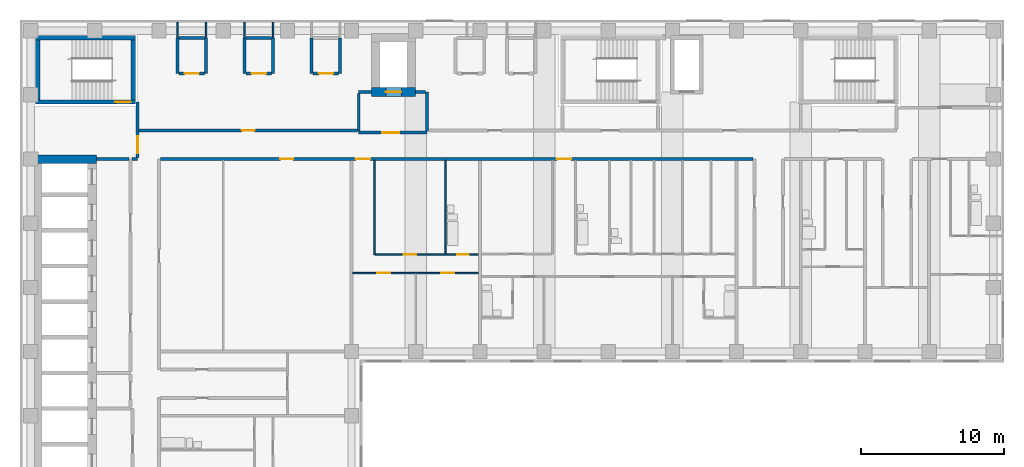
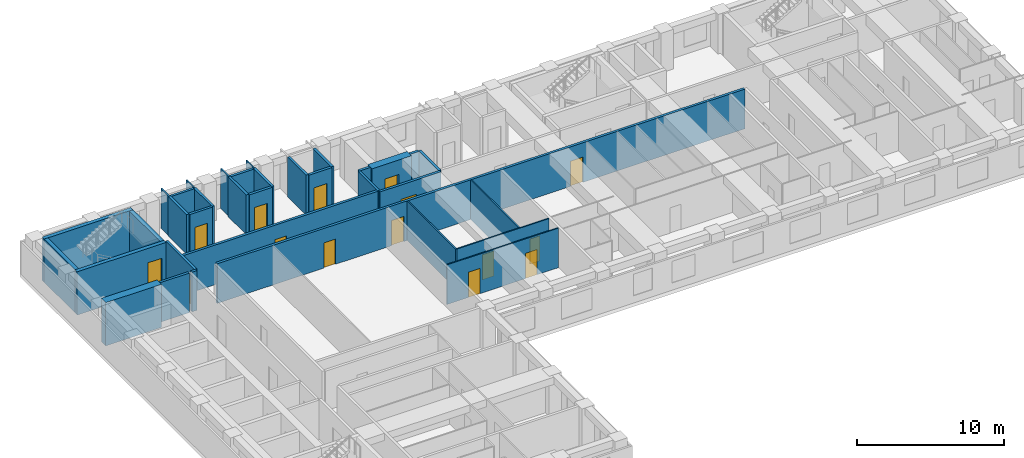
# One storey, part 5 of 12: 35 walls, 15 doors, 15 openings.
"""IFC4 building model written with IfcOpenShell, lengths in metres."""

import ifcopenshell
import ifcopenshell.guid

model = None  # the IFC model being written
_history = None  # IfcOwnerHistory: only IFC2X3 demands one
_inside = {}  # id of a spatial element -> (the spatial element, [elements in it])
_under = {}  # id of a project, library or spatial element -> (it, [spatial elements below it])
_declared = {}  # id of a project -> (the project, [libraries it declares])
_typed = {}  # id of a type object -> (the type object, [elements of that type])
_made_of = {}  # id of a material, layer set ... -> (it, [elements and type objects made of it])


def new_model(schema):
    """Start an empty IFC model of exactly this schema.

    Asked for "IFC4X3", IfcOpenShell would pick the latest addendum, in which some entities
    have other attributes; the version numbers below select the first issue.
    IFC2X3 requires an IfcOwnerHistory on every rooted entity: one is made here for all.
    """
    global model, _history
    if schema == "IFC4X3":
        model = ifcopenshell.file(schema_version=(4, 3, 0, 0))
    else:
        model = ifcopenshell.file(schema=schema)
    _inside.clear()
    _under.clear()
    _declared.clear()
    _typed.clear()
    _made_of.clear()
    _history = None
    if model.schema == "IFC2X3":
        org = make("IfcOrganization", Name="unknown")
        user = make(
            "IfcPersonAndOrganization",
            ThePerson=make("IfcPerson", FamilyName="unknown"),
            TheOrganization=org,
        )
        app = make(
            "IfcApplication",
            ApplicationDeveloper=org,
            Version="unknown",
            ApplicationFullName="unknown",
            ApplicationIdentifier="unknown",
        )
        _history = make(
            "IfcOwnerHistory",
            OwningUser=user,
            OwningApplication=app,
            ChangeAction="ADDED",
            CreationDate=0,
        )
    return model


def make(cls, **values):
    """One entity of the class cls with the attributes given. An attribute that is None is left unset."""
    return model.create_entity(
        cls, **{name: value for name, value in values.items() if value is not None}
    )


def rooted(cls, **values):
    """An entity with a GlobalId (a new one), such as an element, a storey or a relation."""
    return make(cls, GlobalId=ifcopenshell.guid.new(), OwnerHistory=_history, **values)


def si_unit(unit_type, name, prefix=None):
    """IfcSIUnit, for example si_unit("LENGTHUNIT", "METRE", prefix="MILLI")."""
    return make("IfcSIUnit", UnitType=unit_type, Prefix=prefix, Name=name)


def assignment(units):
    """IfcUnitAssignment: the units of a project."""
    return None if units is None else make("IfcUnitAssignment", Units=units)


def point(xyz):
    """IfcCartesianPoint."""
    return None if xyz is None else make("IfcCartesianPoint", Coordinates=xyz)


def direction(xyz):
    """IfcDirection."""
    return None if xyz is None else make("IfcDirection", DirectionRatios=xyz)


def frame(location, z_axis=None, x_axis=None):
    """IfcAxis2Placement3D, a coordinate frame: its origin and axes. An axis left out is left unset."""
    return make(
        "IfcAxis2Placement3D",
        Location=point(location),
        Axis=direction(z_axis),
        RefDirection=direction(x_axis),
    )


def frame_2d(location, x_axis=None):
    """IfcAxis2Placement2D, a coordinate frame in the plane: its origin and x axis."""
    return make(
        "IfcAxis2Placement2D", Location=point(location), RefDirection=direction(x_axis)
    )


def origin():
    """The frame at (0, 0, 0) with its axes left unset."""
    return frame((0.0, 0.0, 0.0))


def place(relative_to, where):
    """IfcLocalPlacement: puts the frame where relative to a parent placement (None: the world)."""
    return make(
        "IfcLocalPlacement", PlacementRelTo=relative_to, RelativePlacement=where
    )


def context(
    kind, dimensions, precision=None, world=None, true_north=None, identifier=None
):
    """IfcGeometricRepresentationContext, for example the 3D "Model" context."""
    return make(
        "IfcGeometricRepresentationContext",
        ContextIdentifier=identifier,
        ContextType=kind,
        CoordinateSpaceDimension=dimensions,
        Precision=precision,
        WorldCoordinateSystem=world,
        TrueNorth=true_north,
    )


def subcontext(parent, identifier, kind, view, scale=None):
    """IfcGeometricRepresentationSubContext, for example "Body" below "Model"."""
    return make(
        "IfcGeometricRepresentationSubContext",
        ContextIdentifier=identifier,
        ContextType=kind,
        ParentContext=parent,
        TargetScale=scale,
        TargetView=view,
    )


def project(units=None, contexts=None):
    """IfcProject with its units and contexts."""
    return rooted(
        "IfcProject",
        Name="project",
        RepresentationContexts=contexts,
        UnitsInContext=assignment(units),
    )


def spatial(cls, under=None, at=None, **own):
    """A site, building, storey or space (cls), placed at a placement, below another one or the project."""
    s = rooted(cls, ObjectPlacement=at, **own)
    if under is not None:
        _under.setdefault(under.id(), (under, []))[1].append(s)
    return s


def profile(cls, at=None, kind="AREA", **sizes):
    """A parametric profile (cls). Its sizes go by their IFC names, for example OverallWidth=200.0."""
    return make(cls, ProfileType=kind, Position=at, **sizes)


def rectangle(**sizes):
    """IfcRectangleProfileDef."""
    return profile("IfcRectangleProfileDef", **sizes)


def extrude(swept, where, along, depth):
    """IfcExtrudedAreaSolid: the profile swept, set in the frame where, extruded along a direction by depth."""
    return make(
        "IfcExtrudedAreaSolid",
        SweptArea=swept,
        Position=where,
        ExtrudedDirection=direction(along),
        Depth=depth,
    )


def shape(context_of_items, identifier, shape_type, items):
    """IfcShapeRepresentation: the items that make up one representation, for example the "Body"."""
    return make(
        "IfcShapeRepresentation",
        ContextOfItems=context_of_items,
        RepresentationIdentifier=identifier,
        RepresentationType=shape_type,
        Items=items,
    )


def material(Name=None, Category=None):
    """IfcMaterial."""
    return make("IfcMaterial", Name=Name, Category=Category)


def layer(
    of_material, thickness, ventilated=None, Name=None, Category=None, Priority=None
):
    """IfcMaterialLayer: one layer of a wall or slab, of a material (None: an air gap)."""
    return make(
        "IfcMaterialLayer",
        Material=of_material,
        LayerThickness=thickness,
        IsVentilated=ventilated,
        Name=Name,
        Category=Category,
        Priority=Priority,
    )


def layer_set(layers, Name=None):
    """IfcMaterialLayerSet."""
    return make("IfcMaterialLayerSet", MaterialLayers=layers, LayerSetName=Name)


def made_of(thing, what):
    """Note that an element or type object is made of a material, layer set ...; save() writes the relation."""
    if what is not None:
        _made_of.setdefault(what.id(), (what, []))[1].append(thing)
    return thing


def type_object(cls, material=None, **own):
    """A type object (cls), such as IfcWallType, which elements share."""
    return made_of(rooted(cls, **own), material)


def element(
    cls,
    number,
    at=None,
    inside=None,
    cuts=None,
    type_object=None,
    material=None,
    context=None,
    identifier="Body",
    shape_type=None,
    held_by="IfcProductDefinitionShape",
    body=None,
    shapes=None,
    **own,
):
    """One element of the class cls, such as IfcWall. Its Tag is "e" and its number.

    at: its placement. inside: the storey or other place that contains it. cuts: it is an
    opening in that element (IfcRelVoidsElement). A single representation is given by context,
    identifier, shape_type and body (its items); several are given by shapes. held_by: the class
    of the entity that holds the representations. save() writes the other relations.
    """
    e = rooted(cls, Tag="e%d" % number, ObjectPlacement=at, **own)
    if body is not None:
        shapes = [shape(context, identifier, shape_type, body)]
    if shapes is not None:
        e.Representation = make(held_by, Representations=shapes)
    if inside is not None:
        _inside.setdefault(inside.id(), (inside, []))[1].append(e)
    if cuts is not None:
        rooted(
            "IfcRelVoidsElement", RelatingBuildingElement=cuts, RelatedOpeningElement=e
        )
    if type_object is not None:
        _typed.setdefault(type_object.id(), (type_object, []))[1].append(e)
    return made_of(e, material)


def fill(opening, filler):
    """IfcRelFillsElement: the door or window that sits in an opening."""
    return rooted(
        "IfcRelFillsElement",
        RelatingOpeningElement=opening,
        RelatedBuildingElement=filler,
    )


def aggregate(whole, parts):
    """IfcRelAggregates: a whole, such as a stair, and the parts it consists of."""
    return rooted("IfcRelAggregates", RelatingObject=whole, RelatedObjects=parts)


def save(model, path):
    """Write the relations noted so far, then the file.

    IfcRelAggregates (storeys below a building ...), IfcRelContainedInSpatialStructure (elements
    in a storey), IfcRelDefinesByType, IfcRelAssociatesMaterial and IfcRelDeclares: one each for
    every whole, place, type object, material and project.
    """
    for whole, parts in _under.values():
        aggregate(whole, parts)
    for where, things in _inside.values():
        rooted(
            "IfcRelContainedInSpatialStructure",
            RelatedElements=things,
            RelatingStructure=where,
        )
    for kind, things in _typed.values():
        rooted("IfcRelDefinesByType", RelatedObjects=things, RelatingType=kind)
    for what, things in _made_of.values():
        rooted("IfcRelAssociatesMaterial", RelatedObjects=things, RelatingMaterial=what)
    for by, libraries in _declared.values():
        rooted("IfcRelDeclares", RelatingContext=by, RelatedDefinitions=libraries)
    model.write(path)


model = new_model("IFC4")

# Units and contexts
model_context = context("Model", 3, precision=1e-05, world=origin(), true_north=direction((0.0, 1.0)))
body_context = subcontext(model_context, "Body", "Model", "MODEL_VIEW")
ifc_project = project(units=[si_unit("LENGTHUNIT", "METRE"), si_unit("AREAUNIT", "SQUARE_METRE"), si_unit("VOLUMEUNIT", "CUBIC_METRE"), si_unit("PLANEANGLEUNIT", "RADIAN"), si_unit("MASSUNIT", "GRAM", prefix="KILO")], contexts=[model_context])

# Site, building, storey
site_placement = place(None, origin())
site = spatial("IfcSite", under=ifc_project, at=site_placement, CompositionType="ELEMENT")
building_placement = place(site_placement, origin())
building = spatial("IfcBuilding", under=site, at=building_placement, Name="Firuza Court", CompositionType="ELEMENT")
storey_placement = place(building_placement, frame((0.0, 0.0, 123.199951171875)))
storey = spatial("IfcBuildingStorey", under=building, at=storey_placement, Name="L30", CompositionType="ELEMENT", Elevation=123.199951171875)

# Wall
ifc_material_1 = material(Name="Moisture-resistant gypsum board partition")
ifc_layer_1 = layer(ifc_material_1, 0.10009765625)
ifc_layer_set_1 = layer_set([ifc_layer_1], Name="Moisture-resistant gypsum board partition")
wall_type_1 = type_object("IfcWallType", Name="Bathroom partition 100", PredefinedType="PLUMBINGWALL", material=ifc_layer_set_1)
wall_1_placement = place(storey_placement, frame((29.10009765625, 42.85009765625, 0.0), z_axis=(0.0, 0.0, 1.0), x_axis=(0.0, 1.0, 0.0)))
element("IfcWall", 1, at=wall_1_placement, inside=storey, type_object=wall_type_1, Name="Bathroom partition 100 L30", PredefinedType="PLUMBINGWALL", context=body_context, shape_type="SweptSolid", body=[
    extrude(rectangle(XDim=6.5498046875, YDim=0.10009765625, at=frame_2d((3.27490234375, 0.0))), origin(), (0.0, 0.0, 1.0), 3.300048828125),
])

# Wall, opening, door
ifc_material_2 = material(Name="Concrete C60/75", Category="concrete")
ifc_layer_2 = layer(ifc_material_2, 0.300048828125)
ifc_layer_set_2 = layer_set([ifc_layer_2], Name="Concrete C60/75")
wall_type_2 = type_object("IfcWallType", Name="Core wall 300 C60/75", PredefinedType="SHEAR", material=ifc_layer_set_2)
wall_2_placement = place(storey_placement, frame((0.35009765625, 53.5, -0.300048828125), z_axis=(0.0, 0.0, 1.0), x_axis=(1.0, 0.0, 0.0)))
wall_2 = element("IfcWall", 2, at=wall_2_placement, inside=storey, type_object=wall_type_2, Name="Core wall stair L30", PredefinedType="SHEAR", context=body_context, shape_type="SweptSolid", body=[
    extrude(rectangle(XDim=7.0, YDim=0.300048828125, at=frame_2d((3.5, 0.0))), origin(), (0.0, 0.0, 1.0), 3.60009765625),
])
opening_1_placement = place(wall_2_placement, frame((5.580078125, 0.0, 0.300048828125)))
opening_1 = element("IfcOpeningElement", 3, at=opening_1_placement, cuts=wall_2, Name="Opening D30015", PredefinedType="OPENING", context=body_context, shape_type="SweptSolid", body=[
    extrude(rectangle(XDim=1.10009765625, YDim=2.10009765625, at=frame_2d((0.550048828125, 1.050048828125))), frame((0.0, 0.162109375, 0.0), z_axis=(0.0, -1.0, 0.0), x_axis=(1.0, 0.0, 0.0)), (0.0, 0.0, 1.0), 0.323974609375),
])
ifc_material_3 = material(Name="Timber door leaf in hardwood frame", Category="wood")
door_type_1 = type_object("IfcDoorType", Name="Stair door 1100", OperationType="SINGLE_SWING_LEFT", PredefinedType="DOOR", material=ifc_material_3)
door_1_placement = place(opening_1_placement, origin())
door_1 = element("IfcDoor", 4, at=door_1_placement, inside=storey, type_object=door_type_1, Name="Stair door S3", OperationType="SINGLE_SWING_RIGHT", OverallHeight=2.10009765625, OverallWidth=1.10009765625, PredefinedType="DOOR", context=body_context, shape_type="SweptSolid", body=[
    extrude(rectangle(XDim=1.10009765625, YDim=2.10009765625, at=frame_2d((0.550048828125, 1.050048828125))), frame((0.0, 0.02490234375, 0.0), z_axis=(0.0, -1.0, 0.0), x_axis=(1.0, 0.0, 0.0)), (0.0, 0.0, 1.0), 0.050048828125),
])
fill(opening_1, door_1)

# Walls
wall_3_placement = place(storey_placement, frame((0.35009765625, 58.0, -0.300048828125), z_axis=(0.0, 0.0, 1.0), x_axis=(1.0, 0.0, 0.0)))
element("IfcWall", 5, at=wall_3_placement, inside=storey, type_object=wall_type_2, Name="Core wall stair L30", PredefinedType="SHEAR", context=body_context, shape_type="SweptSolid", body=[
    extrude(rectangle(XDim=7.0, YDim=0.300048828125, at=frame_2d((3.5, 0.0))), origin(), (0.0, 0.0, 1.0), 3.60009765625),
])
for number, where, z_axis, x_axis, name in (
    (6, (0.5, 53.64990234375, -0.300048828125), (0.0, 0.0, 1.0), (0.0, 1.0, 0.0), "Core wall stair L30"),
    (7, (7.199951171875, 53.64990234375, -0.300048828125), (0.0, 0.0, 1.0), (0.0, 1.0, 0.0), "Core wall stair L30"),
):
    element("IfcWall", number, at=place(storey_placement, frame(where, z_axis=z_axis, x_axis=x_axis)), inside=storey, type_object=wall_type_2, Name=name, PredefinedType="SHEAR", context=body_context, shape_type="SweptSolid", body=[
        extrude(rectangle(XDim=4.2001953125, YDim=0.300048828125, at=frame_2d((2.10009765625, 0.0))), origin(), (0.0, 0.0, 1.0), 3.60009765625),
    ])
ifc_layer_3 = layer(ifc_material_2, 0.60009765625)
ifc_layer_set_3 = layer_set([ifc_layer_3], Name="Concrete C60/75")
wall_type_3 = type_object("IfcWallType", Name="Core wall 600 C60/75", PredefinedType="SHEAR", material=ifc_layer_set_3)
wall_4_placement = place(storey_placement, frame((0.199951171875, 49.5, -0.300048828125), z_axis=(0.0, 0.0, 1.0), x_axis=(1.0, 0.0, 0.0)))
element("IfcWall", 8, at=wall_4_placement, inside=storey, type_object=wall_type_3, Name="Core wall lift shaft L30", PredefinedType="SHEAR", context=body_context, shape_type="SweptSolid", body=[
    extrude(rectangle(XDim=4.400146484375, YDim=0.60009765625, at=frame_2d((2.2001953125, 0.0))), origin(), (0.0, 0.0, 1.0), 3.60009765625),
])

# Wall, opening, door
wall_5_placement = place(storey_placement, frame((23.89990234375, 54.199951171875, -0.300048828125), z_axis=(0.0, 0.0, 1.0), x_axis=(1.0, 0.0, 0.0)))
wall_5 = element("IfcWall", 9, at=wall_5_placement, inside=storey, type_object=wall_type_3, Name="Core wall lift shaft L30", PredefinedType="SHEAR", context=body_context, shape_type="SweptSolid", body=[
    extrude(rectangle(XDim=3.10009765625, YDim=0.60009765625, at=frame_2d((1.550048828125, 0.0))), origin(), (0.0, 0.0, 1.0), 3.60009765625),
])
opening_2_placement = place(wall_5_placement, frame((1.0, 0.0, 0.300048828125)))
opening_2 = element("IfcOpeningElement", 10, at=opening_2_placement, cuts=wall_5, Name="Opening LD-FL3-30", PredefinedType="OPENING", context=body_context, shape_type="SweptSolid", body=[
    extrude(rectangle(XDim=1.10009765625, YDim=2.10009765625, at=frame_2d((0.550048828125, 1.050048828125))), frame((0.0, 0.31201171875, 0.0), z_axis=(0.0, -1.0, 0.0), x_axis=(1.0, 0.0, 0.0)), (0.0, 0.0, 1.0), 0.6240234375),
])
ifc_material_4 = material(Name="Stainless steel 1.4301 door leaf", Category="steel")
door_type_2 = type_object("IfcDoorType", Name="Lift landing door 1100", OperationType="SLIDING_TO_LEFT", PredefinedType="DOOR", material=ifc_material_4)
door_2_placement = place(opening_2_placement, origin())
door_2 = element("IfcDoor", 11, at=door_2_placement, inside=storey, type_object=door_type_2, Name="Landing door FL3", OperationType="SLIDING_TO_LEFT", OverallHeight=2.10009765625, OverallWidth=1.10009765625, PredefinedType="DOOR", context=body_context, shape_type="SweptSolid", body=[
    extrude(rectangle(XDim=1.10009765625, YDim=2.10009765625, at=frame_2d((0.550048828125, 1.050048828125))), frame((0.0, 0.02490234375, 0.0), z_axis=(0.0, -1.0, 0.0), x_axis=(1.0, 0.0, 0.0)), (0.0, 0.0, 1.0), 0.050048828125),
])
fill(opening_2, door_2)

# Wall, openings, doors
ifc_material_5 = material(Name="Blockwork, plastered both sides", Category="masonry")
ifc_layer_4 = layer(ifc_material_5, 0.199951171875)
ifc_layer_set_4 = layer_set([ifc_layer_4], Name="Blockwork, plastered both sides")
wall_type_4 = type_object("IfcWallType", Name="Corridor wall 200", PredefinedType="PARTITIONING", material=ifc_layer_set_4)
wall_6_placement = place(storey_placement, frame((9.10009765625, 49.5, 0.0), z_axis=(0.0, 0.0, 1.0), x_axis=(1.0, 0.0, 0.0)))
wall_6 = element("IfcWall", 12, at=wall_6_placement, inside=storey, type_object=wall_type_4, Name="Corridor wall 200 L30", PredefinedType="PARTITIONING", context=body_context, shape_type="SweptSolid", body=[
    extrude(rectangle(XDim=41.5498046875, YDim=0.199951171875, at=frame_2d((20.77490234375, 0.0))), origin(), (0.0, 0.0, 1.0), 3.300048828125),
])
opening_3_placement = place(wall_6_placement, frame((13.699951171875, 0.0, 0.0)))
opening_3 = element("IfcOpeningElement", 13, at=opening_3_placement, cuts=wall_6, Name="Opening D30066", PredefinedType="OPENING", context=body_context, shape_type="SweptSolid", body=[
    extrude(rectangle(XDim=1.0, YDim=2.10009765625, at=frame_2d((0.5, 1.050048828125))), frame((0.0, 0.11181640625, 0.0), z_axis=(0.0, -1.0, 0.0), x_axis=(1.0, 0.0, 0.0)), (0.0, 0.0, 1.0), 0.223876953125),
])
opening_4_placement = place(wall_6_placement, frame((27.800048828125, 0.0, 0.0)))
opening_4 = element("IfcOpeningElement", 14, at=opening_4_placement, cuts=wall_6, Name="Opening D30067", PredefinedType="OPENING", context=body_context, shape_type="SweptSolid", body=[
    extrude(rectangle(XDim=1.0, YDim=2.10009765625, at=frame_2d((0.5, 1.050048828125))), frame((0.0, 0.11181640625, 0.0), z_axis=(0.0, -1.0, 0.0), x_axis=(1.0, 0.0, 0.0)), (0.0, 0.0, 1.0), 0.223876953125),
])
opening_5_placement = place(wall_6_placement, frame((8.39990234375, 0.0, 0.0)))
opening_5 = element("IfcOpeningElement", 15, at=opening_5_placement, cuts=wall_6, Name="Opening D30068", PredefinedType="OPENING", context=body_context, shape_type="SweptSolid", body=[
    extrude(rectangle(XDim=0.89990234375, YDim=2.10009765625, at=frame_2d((0.449951171875, 1.050048828125))), frame((0.0, 0.11181640625, 0.0), z_axis=(0.0, -1.0, 0.0), x_axis=(1.0, 0.0, 0.0)), (0.0, 0.0, 1.0), 0.223876953125),
])
ifc_material_6 = material(Name="Timber door leaf in hardwood frame", Category="wood")
door_type_3 = type_object("IfcDoorType", Name="Flat entrance door 1000", OperationType="SINGLE_SWING_LEFT", PredefinedType="DOOR", material=ifc_material_6)
door_3_placement = place(opening_3_placement, origin())
door_3 = element("IfcDoor", 16, at=door_3_placement, inside=storey, type_object=door_type_3, Name="Flat entrance door", OperationType="SINGLE_SWING_LEFT", OverallHeight=2.10009765625, OverallWidth=1.0, PredefinedType="DOOR", context=body_context, shape_type="SweptSolid", body=[
    extrude(rectangle(XDim=1.0, YDim=2.10009765625, at=frame_2d((0.5, 1.050048828125))), frame((0.0, 0.02490234375, 0.0), z_axis=(0.0, -1.0, 0.0), x_axis=(1.0, 0.0, 0.0)), (0.0, 0.0, 1.0), 0.050048828125),
])
fill(opening_3, door_3)
door_4_placement = place(opening_4_placement, origin())
door_4 = element("IfcDoor", 17, at=door_4_placement, inside=storey, type_object=door_type_3, Name="Flat entrance door", OperationType="SINGLE_SWING_LEFT", OverallHeight=2.10009765625, OverallWidth=1.0, PredefinedType="DOOR", context=body_context, shape_type="SweptSolid", body=[
    extrude(rectangle(XDim=1.0, YDim=2.10009765625, at=frame_2d((0.5, 1.050048828125))), frame((0.0, 0.02490234375, 0.0), z_axis=(0.0, -1.0, 0.0), x_axis=(1.0, 0.0, 0.0)), (0.0, 0.0, 1.0), 0.050048828125),
])
fill(opening_4, door_4)
ifc_material_7 = material(Name="Timber door leaf in hardwood frame", Category="wood")
door_type_4 = type_object("IfcDoorType", Name="Room door 900 EI 30", OperationType="SINGLE_SWING_LEFT", PredefinedType="DOOR", material=ifc_material_7)
door_5_placement = place(opening_5_placement, frame((0.89990234375, 0.0, 0.0), z_axis=(0.0, 0.0, 1.0), x_axis=(-1.0, 0.0, 0.0)))
door_5 = element("IfcDoor", 18, at=door_5_placement, inside=storey, type_object=door_type_4, Name="Library door", OperationType="SINGLE_SWING_RIGHT", OverallHeight=2.10009765625, OverallWidth=0.89990234375, PredefinedType="DOOR", context=body_context, shape_type="SweptSolid", body=[
    extrude(rectangle(XDim=0.89990234375, YDim=2.10009765625, at=frame_2d((0.449951171875, 1.050048828125))), frame((0.0, 0.02490234375, 0.0), z_axis=(0.0, -1.0, 0.0), x_axis=(1.0, 0.0, 0.0)), (0.0, 0.0, 1.0), 0.050048828125),
])
fill(opening_5, door_5)

# Wall, opening, door
wall_7_placement = place(storey_placement, frame((7.60009765625, 51.5, 0.0), z_axis=(0.0, 0.0, 1.0), x_axis=(1.0, 0.0, 0.0)))
wall_7 = element("IfcWall", 19, at=wall_7_placement, inside=storey, type_object=wall_type_4, Name="Corridor wall 200 L30", PredefinedType="PARTITIONING", context=body_context, shape_type="SweptSolid", body=[
    extrude(rectangle(XDim=15.2998046875, YDim=0.199951171875, at=frame_2d((7.64990234375, 0.0))), origin(), (0.0, 0.0, 1.0), 3.300048828125),
])
opening_6_placement = place(wall_7_placement, frame((7.199951171875, 0.0, 0.0)))
opening_6 = element("IfcOpeningElement", 20, at=opening_6_placement, cuts=wall_7, Name="Opening D30071", PredefinedType="OPENING", context=body_context, shape_type="SweptSolid", body=[
    extrude(rectangle(XDim=0.89990234375, YDim=2.10009765625, at=frame_2d((0.449951171875, 1.050048828125))), frame((0.0, 0.11181640625, 0.0), z_axis=(0.0, -1.0, 0.0), x_axis=(1.0, 0.0, 0.0)), (0.0, 0.0, 1.0), 0.223876953125),
])
door_6_placement = place(opening_6_placement, origin())
door_6 = element("IfcDoor", 21, at=door_6_placement, inside=storey, type_object=door_type_4, Name="Residents' workroom door", OperationType="SINGLE_SWING_LEFT", OverallHeight=2.10009765625, OverallWidth=0.89990234375, PredefinedType="DOOR", context=body_context, shape_type="SweptSolid", body=[
    extrude(rectangle(XDim=0.89990234375, YDim=2.10009765625, at=frame_2d((0.449951171875, 1.050048828125))), frame((0.0, 0.02490234375, 0.0), z_axis=(0.0, -1.0, 0.0), x_axis=(1.0, 0.0, 0.0)), (0.0, 0.0, 1.0), 0.050048828125),
])
fill(opening_6, door_6)

# Wall, openings, doors
ifc_material_8 = material(Name="Timber stud partition, plasterboard both sides", Category="wood")
ifc_layer_5 = layer(ifc_material_8, 0.10009765625)
ifc_layer_set_5 = layer_set([ifc_layer_5], Name="Timber stud partition, plasterboard both sides")
wall_type_5 = type_object("IfcWallType", Name="Partition wall 100", PredefinedType="PARTITIONING", material=ifc_layer_set_5)
wall_8_placement = place(storey_placement, frame((22.60009765625, 41.5, 0.0), z_axis=(0.0, 0.0, 1.0), x_axis=(1.0, 0.0, 0.0)))
wall_8 = element("IfcWall", 22, at=wall_8_placement, inside=storey, type_object=wall_type_5, Name="Partition wall 100 L30", PredefinedType="PARTITIONING", context=body_context, shape_type="SweptSolid", body=[
    extrude(rectangle(XDim=8.7998046875, YDim=0.10009765625, at=frame_2d((4.39990234375, 0.0))), origin(), (0.0, 0.0, 1.0), 3.300048828125),
])
opening_7_placement = place(wall_8_placement, frame((1.699951171875, 0.0, 0.0)))
opening_7 = element("IfcOpeningElement", 23, at=opening_7_placement, cuts=wall_8, Name="Opening D30050", PredefinedType="OPENING", context=body_context, shape_type="SweptSolid", body=[
    extrude(rectangle(XDim=0.89990234375, YDim=2.10009765625, at=frame_2d((0.449951171875, 1.050048828125))), frame((0.0, 0.06201171875, 0.0), z_axis=(0.0, -1.0, 0.0), x_axis=(1.0, 0.0, 0.0)), (0.0, 0.0, 1.0), 0.1240234375),
])
opening_8_placement = place(wall_8_placement, frame((6.199951171875, 0.0, 0.0)))
opening_8 = element("IfcOpeningElement", 24, at=opening_8_placement, cuts=wall_8, Name="Opening D30051", PredefinedType="OPENING", context=body_context, shape_type="SweptSolid", body=[
    extrude(rectangle(XDim=0.89990234375, YDim=2.10009765625, at=frame_2d((0.449951171875, 1.050048828125))), frame((0.0, 0.06201171875, 0.0), z_axis=(0.0, -1.0, 0.0), x_axis=(1.0, 0.0, 0.0)), (0.0, 0.0, 1.0), 0.1240234375),
])
ifc_material_9 = material(Name="Timber door leaf in hardwood frame", Category="wood")
door_type_5 = type_object("IfcDoorType", Name="Room door 900", OperationType="SINGLE_SWING_LEFT", PredefinedType="DOOR", material=ifc_material_9)
door_7_placement = place(opening_7_placement, frame((0.89990234375, 0.0, 0.0), z_axis=(0.0, 0.0, 1.0), x_axis=(-1.0, 0.0, 0.0)))
door_7 = element("IfcDoor", 25, at=door_7_placement, inside=storey, type_object=door_type_5, Name="Bedroom door", OperationType="SINGLE_SWING_RIGHT", OverallHeight=2.10009765625, OverallWidth=0.89990234375, PredefinedType="DOOR", context=body_context, shape_type="SweptSolid", body=[
    extrude(rectangle(XDim=0.89990234375, YDim=2.10009765625, at=frame_2d((0.449951171875, 1.050048828125))), frame((0.0, 0.02490234375, 0.0), z_axis=(0.0, -1.0, 0.0), x_axis=(1.0, 0.0, 0.0)), (0.0, 0.0, 1.0), 0.050048828125),
])
fill(opening_7, door_7)
door_8_placement = place(opening_8_placement, frame((0.89990234375, 0.0, 0.0), z_axis=(0.0, 0.0, 1.0), x_axis=(-1.0, 0.0, 0.0)))
door_8 = element("IfcDoor", 26, at=door_8_placement, inside=storey, type_object=door_type_5, Name="Living room door", OperationType="SINGLE_SWING_RIGHT", OverallHeight=2.10009765625, OverallWidth=0.89990234375, PredefinedType="DOOR", context=body_context, shape_type="SweptSolid", body=[
    extrude(rectangle(XDim=0.89990234375, YDim=2.10009765625, at=frame_2d((0.449951171875, 1.050048828125))), frame((0.0, 0.02490234375, 0.0), z_axis=(0.0, -1.0, 0.0), x_axis=(1.0, 0.0, 0.0)), (0.0, 0.0, 1.0), 0.050048828125),
])
fill(opening_8, door_8)

# Wall
wall_9_placement = place(storey_placement, frame((24.10009765625, 42.800048828125, 0.0), z_axis=(0.0, 0.0, 1.0), x_axis=(0.0, 1.0, 0.0)))
element("IfcWall", 27, at=wall_9_placement, inside=storey, type_object=wall_type_5, Name="Partition wall 100 L30", PredefinedType="PARTITIONING", context=body_context, shape_type="SweptSolid", body=[
    extrude(rectangle(XDim=6.599853515625, YDim=0.10009765625, at=frame_2d((3.2998046875, 0.0))), origin(), (0.0, 0.0, 1.0), 3.300048828125),
])

# Wall, openings, doors
wall_10_placement = place(storey_placement, frame((24.14990234375, 42.800048828125, 0.0), z_axis=(0.0, 0.0, 1.0), x_axis=(1.0, 0.0, 0.0)))
wall_10 = element("IfcWall", 28, at=wall_10_placement, inside=storey, type_object=wall_type_5, Name="Partition wall 100 L30", PredefinedType="PARTITIONING", context=body_context, shape_type="SweptSolid", body=[
    extrude(rectangle(XDim=7.25, YDim=0.10009765625, at=frame_2d((3.625, 0.0))), origin(), (0.0, 0.0, 1.0), 3.300048828125),
])
opening_9_placement = place(wall_10_placement, frame((5.75, 0.0, 0.0)))
opening_9 = element("IfcOpeningElement", 29, at=opening_9_placement, cuts=wall_10, Name="Opening D30053", PredefinedType="OPENING", context=body_context, shape_type="SweptSolid", body=[
    extrude(rectangle(XDim=0.800048828125, YDim=2.10009765625, at=frame_2d((0.39990234375, 1.050048828125))), frame((0.0, 0.06201171875, 0.0), z_axis=(0.0, -1.0, 0.0), x_axis=(1.0, 0.0, 0.0)), (0.0, 0.0, 1.0), 0.1240234375),
])
opening_10_placement = place(wall_10_placement, frame((2.0, 0.0, 0.0)))
opening_10 = element("IfcOpeningElement", 30, at=opening_10_placement, cuts=wall_10, Name="Opening D30054", PredefinedType="OPENING", context=body_context, shape_type="SweptSolid", body=[
    extrude(rectangle(XDim=0.89990234375, YDim=2.10009765625, at=frame_2d((0.449951171875, 1.050048828125))), frame((0.0, 0.06201171875, 0.0), z_axis=(0.0, -1.0, 0.0), x_axis=(1.0, 0.0, 0.0)), (0.0, 0.0, 1.0), 0.1240234375),
])
ifc_material_10 = material(Name="Timber door leaf in hardwood frame", Category="wood")
door_type_6 = type_object("IfcDoorType", Name="Bathroom door 800", OperationType="SINGLE_SWING_LEFT", PredefinedType="DOOR", material=ifc_material_10)
door_9_placement = place(opening_9_placement, origin())
door_9 = element("IfcDoor", 31, at=door_9_placement, inside=storey, type_object=door_type_6, Name="Bathroom door", OperationType="SINGLE_SWING_LEFT", OverallHeight=2.10009765625, OverallWidth=0.800048828125, PredefinedType="DOOR", context=body_context, shape_type="SweptSolid", body=[
    extrude(rectangle(XDim=0.800048828125, YDim=2.10009765625, at=frame_2d((0.39990234375, 1.050048828125))), frame((0.0, 0.02490234375, 0.0), z_axis=(0.0, -1.0, 0.0), x_axis=(1.0, 0.0, 0.0)), (0.0, 0.0, 1.0), 0.050048828125),
])
fill(opening_9, door_9)
door_10_placement = place(opening_10_placement, origin())
door_10 = element("IfcDoor", 32, at=door_10_placement, inside=storey, type_object=door_type_5, Name="Kitchen door", OperationType="SINGLE_SWING_LEFT", OverallHeight=2.10009765625, OverallWidth=0.89990234375, PredefinedType="DOOR", context=body_context, shape_type="SweptSolid", body=[
    extrude(rectangle(XDim=0.89990234375, YDim=2.10009765625, at=frame_2d((0.449951171875, 1.050048828125))), frame((0.0, 0.02490234375, 0.0), z_axis=(0.0, -1.0, 0.0), x_axis=(1.0, 0.0, 0.0)), (0.0, 0.0, 1.0), 0.050048828125),
])
fill(opening_10, door_10)

# Walls
for number, where, z_axis, x_axis, name in (
    (33, (10.300048828125, 58.0, 0.0), (0.0, 0.0, 1.0), (0.0, 1.0, 0.0), "Partition wall 100 L30"),
    (34, (12.300048828125, 58.0, 0.0), (0.0, 0.0, 1.0), (0.0, 1.0, 0.0), "Partition wall 100 L30"),
    (35, (15.0, 58.0, 0.0), (0.0, 0.0, 1.0), (0.0, 1.0, 0.0), "Partition wall 100 L30"),
    (36, (17.0, 58.0, 0.0), (0.0, 0.0, 1.0), (0.0, 1.0, 0.0), "Partition wall 100 L30"),
):
    element("IfcWall", number, at=place(storey_placement, frame(where, z_axis=z_axis, x_axis=x_axis)), inside=storey, type_object=wall_type_5, Name=name, PredefinedType="PARTITIONING", context=body_context, shape_type="SweptSolid", body=[
        extrude(rectangle(XDim=1.10009765625, YDim=0.10009765625, at=frame_2d((0.550048828125, 0.0))), origin(), (0.0, 0.0, 1.0), 3.300048828125),
    ])
ifc_material_11 = material(Name="Blockwork, fire-rated", Category="masonry")
ifc_layer_6 = layer(ifc_material_11, 0.199951171875)
ifc_layer_set_6 = layer_set([ifc_layer_6], Name="Blockwork, fire-rated")
wall_type_6 = type_object("IfcWallType", Name="Plant room wall 200", PredefinedType="PARTITIONING", material=ifc_layer_set_6)
wall_11_placement = place(storey_placement, frame((10.300048828125, 55.5, 0.0), z_axis=(0.0, 0.0, 1.0), x_axis=(0.0, 1.0, 0.0)))
element("IfcWall", 37, at=wall_11_placement, inside=storey, type_object=wall_type_6, Name="Plant room wall 200 L30", PredefinedType="PARTITIONING", context=body_context, shape_type="SweptSolid", body=[
    extrude(rectangle(XDim=2.5, YDim=0.199951171875, at=frame_2d((1.25, 0.0))), origin(), (0.0, 0.0, 1.0), 3.300048828125),
])

# Wall, opening, door
wall_12_placement = place(storey_placement, frame((10.39990234375, 55.5, 0.0), z_axis=(0.0, 0.0, 1.0), x_axis=(1.0, 0.0, 0.0)))
wall_12 = element("IfcWall", 38, at=wall_12_placement, inside=storey, type_object=wall_type_6, Name="Plant room wall 200 L30", PredefinedType="PARTITIONING", context=body_context, shape_type="SweptSolid", body=[
    extrude(rectangle(XDim=1.800048828125, YDim=0.199951171875, at=frame_2d((0.89990234375, 0.0))), origin(), (0.0, 0.0, 1.0), 3.300048828125),
])
opening_11_placement = place(wall_12_placement, frame((0.39990234375, 0.0, 0.0)))
opening_11 = element("IfcOpeningElement", 39, at=opening_11_placement, cuts=wall_12, Name="Opening D30075", PredefinedType="OPENING", context=body_context, shape_type="SweptSolid", body=[
    extrude(rectangle(XDim=1.0, YDim=2.10009765625, at=frame_2d((0.5, 1.050048828125))), frame((0.0, 0.11181640625, 0.0), z_axis=(0.0, -1.0, 0.0), x_axis=(1.0, 0.0, 0.0)), (0.0, 0.0, 1.0), 0.223876953125),
])
ifc_material_12 = material(Name="Timber door leaf in hardwood frame", Category="wood")
door_type_7 = type_object("IfcDoorType", Name="Riser door 1000", OperationType="SINGLE_SWING_LEFT", PredefinedType="DOOR", material=ifc_material_12)
door_11_placement = place(opening_11_placement, origin())
door_11 = element("IfcDoor", 40, at=door_11_placement, inside=storey, type_object=door_type_7, Name="Comms riser door", OperationType="SINGLE_SWING_LEFT", OverallHeight=2.10009765625, OverallWidth=1.0, PredefinedType="DOOR", context=body_context, shape_type="SweptSolid", body=[
    extrude(rectangle(XDim=1.0, YDim=2.10009765625, at=frame_2d((0.5, 1.050048828125))), frame((0.0, 0.02490234375, 0.0), z_axis=(0.0, -1.0, 0.0), x_axis=(1.0, 0.0, 0.0)), (0.0, 0.0, 1.0), 0.050048828125),
])
fill(opening_11, door_11)

# Walls
for number, where, z_axis, x_axis, name in (
    (41, (12.300048828125, 55.5, 0.0), (0.0, 0.0, 1.0), (0.0, 1.0, 0.0), "Plant room wall 200 L30"),
    (42, (15.0, 55.5, 0.0), (0.0, 0.0, 1.0), (0.0, 1.0, 0.0), "Plant room wall 200 L30"),
):
    element("IfcWall", number, at=place(storey_placement, frame(where, z_axis=z_axis, x_axis=x_axis)), inside=storey, type_object=wall_type_6, Name=name, PredefinedType="PARTITIONING", context=body_context, shape_type="SweptSolid", body=[
        extrude(rectangle(XDim=2.5, YDim=0.199951171875, at=frame_2d((1.25, 0.0))), origin(), (0.0, 0.0, 1.0), 3.300048828125),
    ])

# Wall, opening, door
wall_13_placement = place(storey_placement, frame((15.10009765625, 55.5, 0.0), z_axis=(0.0, 0.0, 1.0), x_axis=(1.0, 0.0, 0.0)))
wall_13 = element("IfcWall", 43, at=wall_13_placement, inside=storey, type_object=wall_type_6, Name="Plant room wall 200 L30", PredefinedType="PARTITIONING", context=body_context, shape_type="SweptSolid", body=[
    extrude(rectangle(XDim=1.7998046875, YDim=0.199951171875, at=frame_2d((0.89990234375, 0.0))), origin(), (0.0, 0.0, 1.0), 3.300048828125),
])
opening_12_placement = place(wall_13_placement, frame((0.39990234375, 0.0, 0.0)))
opening_12 = element("IfcOpeningElement", 44, at=opening_12_placement, cuts=wall_13, Name="Opening D30076", PredefinedType="OPENING", context=body_context, shape_type="SweptSolid", body=[
    extrude(rectangle(XDim=1.0, YDim=2.10009765625, at=frame_2d((0.5, 1.050048828125))), frame((0.0, 0.11181640625, 0.0), z_axis=(0.0, -1.0, 0.0), x_axis=(1.0, 0.0, 0.0)), (0.0, 0.0, 1.0), 0.223876953125),
])
door_12_placement = place(opening_12_placement, origin())
door_12 = element("IfcDoor", 45, at=door_12_placement, inside=storey, type_object=door_type_7, Name="Electrical riser door", OperationType="SINGLE_SWING_LEFT", OverallHeight=2.10009765625, OverallWidth=1.0, PredefinedType="DOOR", context=body_context, shape_type="SweptSolid", body=[
    extrude(rectangle(XDim=1.0, YDim=2.10009765625, at=frame_2d((0.5, 1.050048828125))), frame((0.0, 0.02490234375, 0.0), z_axis=(0.0, -1.0, 0.0), x_axis=(1.0, 0.0, 0.0)), (0.0, 0.0, 1.0), 0.050048828125),
])
fill(opening_12, door_12)

# Walls
for number, where, z_axis, x_axis, name in (
    (46, (17.0, 55.5, 0.0), (0.0, 0.0, 1.0), (0.0, 1.0, 0.0), "Plant room wall 200 L30"),
    (47, (19.699951171875, 55.5, 0.0), (0.0, 0.0, 1.0), (0.0, 1.0, 0.0), "Plant room wall 200 L30"),
):
    element("IfcWall", number, at=place(storey_placement, frame(where, z_axis=z_axis, x_axis=x_axis)), inside=storey, type_object=wall_type_6, Name=name, PredefinedType="PARTITIONING", context=body_context, shape_type="SweptSolid", body=[
        extrude(rectangle(XDim=2.5, YDim=0.199951171875, at=frame_2d((1.25, 0.0))), origin(), (0.0, 0.0, 1.0), 3.300048828125),
    ])

# Wall, opening, door
wall_14_placement = place(storey_placement, frame((19.800048828125, 55.5, 0.0), z_axis=(0.0, 0.0, 1.0), x_axis=(1.0, 0.0, 0.0)))
wall_14 = element("IfcWall", 48, at=wall_14_placement, inside=storey, type_object=wall_type_6, Name="Plant room wall 200 L30", PredefinedType="PARTITIONING", context=body_context, shape_type="SweptSolid", body=[
    extrude(rectangle(XDim=1.800048828125, YDim=0.199951171875, at=frame_2d((0.89990234375, 0.0))), origin(), (0.0, 0.0, 1.0), 3.300048828125),
])
opening_13_placement = place(wall_14_placement, frame((0.39990234375, 0.0, 0.0)))
opening_13 = element("IfcOpeningElement", 49, at=opening_13_placement, cuts=wall_14, Name="Opening D30077", PredefinedType="OPENING", context=body_context, shape_type="SweptSolid", body=[
    extrude(rectangle(XDim=1.0, YDim=2.10009765625, at=frame_2d((0.5, 1.050048828125))), frame((0.0, 0.11181640625, 0.0), z_axis=(0.0, -1.0, 0.0), x_axis=(1.0, 0.0, 0.0)), (0.0, 0.0, 1.0), 0.223876953125),
])
door_13_placement = place(opening_13_placement, origin())
door_13 = element("IfcDoor", 50, at=door_13_placement, inside=storey, type_object=door_type_7, Name="Duct riser door", OperationType="SINGLE_SWING_LEFT", OverallHeight=2.10009765625, OverallWidth=1.0, PredefinedType="DOOR", context=body_context, shape_type="SweptSolid", body=[
    extrude(rectangle(XDim=1.0, YDim=2.10009765625, at=frame_2d((0.5, 1.050048828125))), frame((0.0, 0.02490234375, 0.0), z_axis=(0.0, -1.0, 0.0), x_axis=(1.0, 0.0, 0.0)), (0.0, 0.0, 1.0), 0.050048828125),
])
fill(opening_13, door_13)

# Walls
wall_15_placement = place(storey_placement, frame((21.699951171875, 55.5, 0.0), z_axis=(0.0, 0.0, 1.0), x_axis=(0.0, 1.0, 0.0)))
element("IfcWall", 51, at=wall_15_placement, inside=storey, type_object=wall_type_6, Name="Plant room wall 200 L30", PredefinedType="PARTITIONING", context=body_context, shape_type="SweptSolid", body=[
    extrude(rectangle(XDim=2.5, YDim=0.199951171875, at=frame_2d((1.25, 0.0))), origin(), (0.0, 0.0, 1.0), 3.300048828125),
])
wall_16_placement = place(storey_placement, frame((10.39990234375, 58.0, 0.0), z_axis=(0.0, 0.0, 1.0), x_axis=(1.0, 0.0, 0.0)))
element("IfcWall", 52, at=wall_16_placement, inside=storey, type_object=wall_type_6, Name="Plant room wall 200 L30", PredefinedType="PARTITIONING", context=body_context, shape_type="SweptSolid", body=[
    extrude(rectangle(XDim=1.800048828125, YDim=0.199951171875, at=frame_2d((0.89990234375, 0.0))), origin(), (0.0, 0.0, 1.0), 3.300048828125),
])
wall_17_placement = place(storey_placement, frame((15.10009765625, 58.0, 0.0), z_axis=(0.0, 0.0, 1.0), x_axis=(1.0, 0.0, 0.0)))
element("IfcWall", 53, at=wall_17_placement, inside=storey, type_object=wall_type_6, Name="Plant room wall 200 L30", PredefinedType="PARTITIONING", context=body_context, shape_type="SweptSolid", body=[
    extrude(rectangle(XDim=1.7998046875, YDim=0.199951171875, at=frame_2d((0.89990234375, 0.0))), origin(), (0.0, 0.0, 1.0), 3.300048828125),
])
ifc_layer_7 = layer(ifc_material_11, 0.199951171875)
ifc_layer_set_7 = layer_set([ifc_layer_7], Name="Blockwork, fire-rated")
wall_type_7 = type_object("IfcWallType", Name="Shaft wall 200", PredefinedType="PARTITIONING", material=ifc_layer_set_7)
wall_18_placement = place(storey_placement, frame((4.60009765625, 49.5, 0.0), z_axis=(0.0, 0.0, 1.0), x_axis=(1.0, 0.0, 0.0)))
element("IfcWall", 54, at=wall_18_placement, inside=storey, type_object=wall_type_7, Name="Shaft wall 200 L30", PredefinedType="PARTITIONING", context=body_context, shape_type="SweptSolid", body=[
    extrude(rectangle(XDim=2.2998046875, YDim=0.199951171875, at=frame_2d((1.14990234375, 0.0))), origin(), (0.0, 0.0, 1.0), 3.300048828125),
])

# Wall, opening, door
wall_19_placement = place(storey_placement, frame((23.0, 51.35009765625, 0.0), z_axis=(0.0, 0.0, 1.0), x_axis=(1.0, 0.0, 0.0)))
wall_19 = element("IfcWall", 55, at=wall_19_placement, inside=storey, type_object=wall_type_7, Name="Shaft wall 200 L30", PredefinedType="PARTITIONING", context=body_context, shape_type="SweptSolid", body=[
    extrude(rectangle(XDim=4.800048828125, YDim=0.199951171875, at=frame_2d((2.39990234375, 0.0))), origin(), (0.0, 0.0, 1.0), 3.300048828125),
])
opening_14_placement = place(wall_19_placement, frame((1.64990234375, 0.0, 0.0)))
opening_14 = element("IfcOpeningElement", 56, at=opening_14_placement, cuts=wall_19, Name="Opening D30003", PredefinedType="OPENING", context=body_context, shape_type="SweptSolid", body=[
    extrude(rectangle(XDim=1.199951171875, YDim=2.10009765625, at=frame_2d((0.60009765625, 1.050048828125))), frame((0.0, 0.11181640625, 0.0), z_axis=(0.0, -1.0, 0.0), x_axis=(1.0, 0.0, 0.0)), (0.0, 0.0, 1.0), 0.223876953125),
])
ifc_material_13 = material(Name="Timber door leaf in hardwood frame", Category="wood")
door_type_8 = type_object("IfcDoorType", Name="Lobby door 1200", OperationType="SINGLE_SWING_LEFT", PredefinedType="DOOR", material=ifc_material_13)
door_14_placement = place(opening_14_placement, origin())
door_14 = element("IfcDoor", 57, at=door_14_placement, inside=storey, type_object=door_type_8, Name="Fire-fighting lobby door", OperationType="SINGLE_SWING_LEFT", OverallHeight=2.10009765625, OverallWidth=1.199951171875, PredefinedType="DOOR", context=body_context, shape_type="SweptSolid", body=[
    extrude(rectangle(XDim=1.199951171875, YDim=2.10009765625, at=frame_2d((0.60009765625, 1.050048828125))), frame((0.0, 0.02490234375, 0.0), z_axis=(0.0, -1.0, 0.0), x_axis=(1.0, 0.0, 0.0)), (0.0, 0.0, 1.0), 0.050048828125),
])
fill(opening_14, door_14)

# Walls
wall_20_placement = place(storey_placement, frame((27.800048828125, 51.449951171875, 0.0), z_axis=(0.0, 0.0, 1.0), x_axis=(0.0, 1.0, 0.0)))
element("IfcWall", 58, at=wall_20_placement, inside=storey, type_object=wall_type_7, Name="Shaft wall 200 L30", PredefinedType="PARTITIONING", context=body_context, shape_type="SweptSolid", body=[
    extrude(rectangle(XDim=2.75, YDim=0.199951171875, at=frame_2d((1.375, 0.0))), origin(), (0.0, 0.0, 1.0), 3.300048828125),
])
wall_21_placement = place(storey_placement, frame((23.0, 54.199951171875, 0.0), z_axis=(0.0, 0.0, 1.0), x_axis=(1.0, 0.0, 0.0)))
element("IfcWall", 59, at=wall_21_placement, inside=storey, type_object=wall_type_7, Name="Shaft wall 200 L30", PredefinedType="PARTITIONING", context=body_context, shape_type="SweptSolid", body=[
    extrude(rectangle(XDim=0.89990234375, YDim=0.199951171875, at=frame_2d((0.449951171875, 0.0))), origin(), (0.0, 0.0, 1.0), 3.300048828125),
])
wall_22_placement = place(storey_placement, frame((27.0, 54.199951171875, 0.0), z_axis=(0.0, 0.0, 1.0), x_axis=(1.0, 0.0, 0.0)))
element("IfcWall", 60, at=wall_22_placement, inside=storey, type_object=wall_type_7, Name="Shaft wall 200 L30", PredefinedType="PARTITIONING", context=body_context, shape_type="SweptSolid", body=[
    extrude(rectangle(XDim=0.699951171875, YDim=0.199951171875, at=frame_2d((0.35009765625, 0.0))), origin(), (0.0, 0.0, 1.0), 3.300048828125),
])
wall_23_placement = place(storey_placement, frame((23.0, 51.449951171875, 0.0), z_axis=(0.0, 0.0, 1.0), x_axis=(0.0, 1.0, 0.0)))
element("IfcWall", 61, at=wall_23_placement, inside=storey, type_object=wall_type_7, Name="Shaft wall 200 L30", PredefinedType="PARTITIONING", context=body_context, shape_type="SweptSolid", body=[
    extrude(rectangle(XDim=2.650146484375, YDim=0.199951171875, at=frame_2d((1.3251953125, 0.0))), origin(), (0.0, 0.0, 1.0), 3.300048828125),
])
wall_24_placement = place(storey_placement, frame((7.10009765625, 49.5, 0.0), z_axis=(0.0, 0.0, 1.0), x_axis=(1.0, 0.0, 0.0)))
element("IfcWall", 62, at=wall_24_placement, inside=storey, type_object=wall_type_7, Name="Shaft wall 200 L30", PredefinedType="PARTITIONING", context=body_context, shape_type="SweptSolid", body=[
    extrude(rectangle(XDim=0.39990234375, YDim=0.199951171875, at=frame_2d((0.199951171875, 0.0))), origin(), (0.0, 0.0, 1.0), 3.300048828125),
])

# Wall, opening, door
wall_25_placement = place(storey_placement, frame((7.5, 49.60009765625, 0.0), z_axis=(0.0, 0.0, 1.0), x_axis=(0.0, 1.0, 0.0)))
wall_25 = element("IfcWall", 63, at=wall_25_placement, inside=storey, type_object=wall_type_7, Name="Shaft wall 200 L30", PredefinedType="PARTITIONING", context=body_context, shape_type="SweptSolid", body=[
    extrude(rectangle(XDim=3.89990234375, YDim=0.199951171875, at=frame_2d((1.949951171875, 0.0))), origin(), (0.0, 0.0, 1.0), 3.300048828125),
])
opening_15_placement = place(wall_25_placement, frame((0.300048828125, 0.0, 0.0)))
opening_15 = element("IfcOpeningElement", 64, at=opening_15_placement, cuts=wall_25, Name="Opening D30001", PredefinedType="OPENING", context=body_context, shape_type="SweptSolid", body=[
    extrude(rectangle(XDim=1.199951171875, YDim=2.10009765625, at=frame_2d((0.60009765625, 1.050048828125))), frame((0.0, 0.11181640625, 0.0), z_axis=(0.0, -1.0, 0.0), x_axis=(1.0, 0.0, 0.0)), (0.0, 0.0, 1.0), 0.223876953125),
])
door_15_placement = place(opening_15_placement, origin())
door_15 = element("IfcDoor", 65, at=door_15_placement, inside=storey, type_object=door_type_8, Name="Lobby door", OperationType="SINGLE_SWING_LEFT", OverallHeight=2.10009765625, OverallWidth=1.199951171875, PredefinedType="DOOR", context=body_context, shape_type="SweptSolid", body=[
    extrude(rectangle(XDim=1.199951171875, YDim=2.10009765625, at=frame_2d((0.60009765625, 1.050048828125))), frame((0.0, 0.02490234375, 0.0), z_axis=(0.0, -1.0, 0.0), x_axis=(1.0, 0.0, 0.0)), (0.0, 0.0, 1.0), 0.050048828125),
])
fill(opening_15, door_15)

save(model, "model.ifc")
